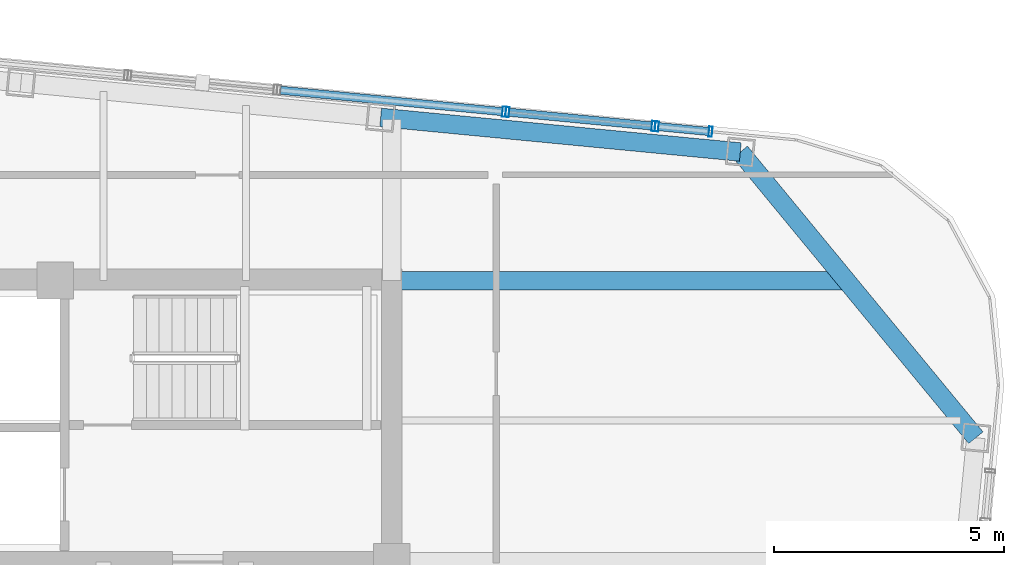
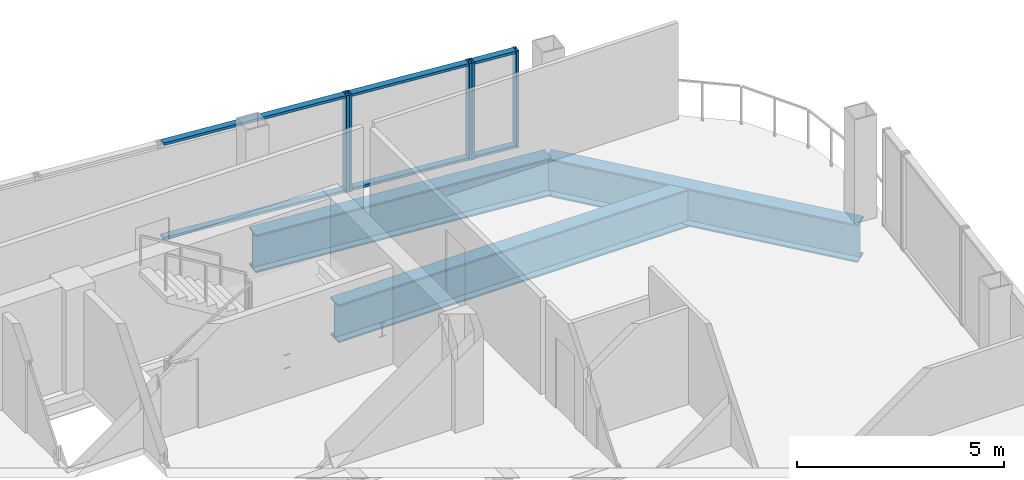
# One storey, part 15 of 22: 11 members, 3 beams, 3 elements without a shape of their own.
"""IFC4 building model written with IfcOpenShell, lengths in metres."""

from ifc_helpers import new_model, si_unit, direction, frame, origin, origin_2d, place, context, subcontext, project, spatial, hollow_rectangle, i_section, extrude, material, layer, layer_set, material_profile, profile_set, type_object, element, aggregate, save


model = new_model("IFC4")

# Units and contexts
model_context = context("Model", 3, precision=1e-05, world=origin(), true_north=direction((0.0, 1.0)))
body_context = subcontext(model_context, "Body", "Model", "MODEL_VIEW")
ifc_project = project(units=[si_unit("LENGTHUNIT", "METRE"), si_unit("AREAUNIT", "SQUARE_METRE"), si_unit("VOLUMEUNIT", "CUBIC_METRE"), si_unit("PLANEANGLEUNIT", "RADIAN"), si_unit("MASSUNIT", "GRAM", prefix="KILO")], contexts=[model_context])

# Site, building, storey
site_placement = place(None, origin())
site = spatial("IfcSite", under=ifc_project, at=site_placement, CompositionType="ELEMENT")
building_placement = place(site_placement, origin())
building = spatial("IfcBuilding", under=site, at=building_placement, Name="Qhalaya Broadcast Tower", CompositionType="ELEMENT")
storey_placement = place(building_placement, frame((0.0, 0.0, 245.89990234375)))
storey = spatial("IfcBuildingStorey", under=building, at=storey_placement, Name="L72", CompositionType="ELEMENT", Elevation=245.89990234375)

# Beams
ifc_material_1 = material(Name="Structural Steel ASTM A992 Grade 50", Category="steel")
ifc_material_profile_1 = material_profile(ifc_material_1, i_section(OverallWidth=0.404052734375, OverallDepth=1.117919921875, WebThickness=0.026123046875, FlangeThickness=0.044921875, at=origin_2d()), Name="W44X335")
ifc_profile_set_1 = profile_set([ifc_material_profile_1], Name="Structural Steel ASTM A992 Grade 50")
beam_type = type_object("IfcBeamType", Name="Podium Long-Span Primary Girder PG1", PredefinedType="USERDEFINED", material=ifc_profile_set_1)
beam_1_placement = place(storey_placement, frame((22.09033203125, 6.5283203125, -0.7490234375), z_axis=(-0.636070241972, 0.771631160126, 0.0), x_axis=(-0.771631160126, -0.636070241972, 0.0)))
element("IfcBeam", 1, at=beam_1_placement, inside=storey, type_object=beam_type, Name="L72 PG1 L72-SPR-08", ObjectType="GIRDER", PredefinedType="USERDEFINED", context=body_context, shape_type="SweptSolid", body=[
    extrude(i_section(OverallWidth=0.404052734375, OverallDepth=1.117919921875, WebThickness=0.026123046875, FlangeThickness=0.044921875, at=origin_2d()), origin(), (0.0, 0.0, 1.0), 8.06103515625),
])
beam_2_placement = place(storey_placement, frame((16.962890625, 12.74853515625, -0.7490234375), z_axis=(-0.995397023367, 0.095837184179, 0.0), x_axis=(-0.095837184179, -0.995397023367, 0.0)))
element("IfcBeam", 2, at=beam_2_placement, inside=storey, type_object=beam_type, Name="L72 PG1 L72-SPR-09", ObjectType="GIRDER", PredefinedType="USERDEFINED", context=body_context, shape_type="SweptSolid", body=[
    extrude(i_section(OverallWidth=0.404052734375, OverallDepth=1.117919921875, WebThickness=0.026123046875, FlangeThickness=0.044921875, at=origin_2d()), origin(), (0.0, 0.0, 1.0), 7.866455078125),
])
beam_3_placement = place(storey_placement, frame((9.375, 9.949951171875, -0.7490234375), z_axis=(1.0, 0.0, 0.0), x_axis=(0.0, 1.0, 0.0)))
element("IfcBeam", 3, at=beam_3_placement, inside=storey, type_object=beam_type, Name="L72 PG1 L72-PGYE4-1", ObjectType="GIRDER", PredefinedType="USERDEFINED", context=body_context, shape_type="SweptSolid", body=[
    extrude(i_section(OverallWidth=0.404052734375, OverallDepth=1.117919921875, WebThickness=0.026123046875, FlangeThickness=0.044921875, at=origin_2d()), origin(), (0.0, 0.0, 1.0), 9.868896484375),
])

# Curtain wall, members
ifc_material_2 = material(Name="Fired Architectural Terracotta", Category="masonry")
ifc_layer_1 = layer(ifc_material_2, 0.219970703125, Name="Fired Architectural Terracotta")
ifc_layer_set_1 = layer_set([ifc_layer_1], Name="Fired Architectural Terracotta")
curtain_wall_type_1 = type_object("IfcCurtainWallType", Name="Block-Cap Unitised Terracotta Spandrel Wall CW-07", PredefinedType="NOTDEFINED", material=ifc_layer_set_1)
curtain_wall_1_placement = place(storey_placement, origin())
curtain_wall_1 = element("IfcCurtainWall", 4, at=curtain_wall_1_placement, inside=storey, type_object=curtain_wall_type_1, Name="L72 Unitised Curtain Wall L72-CW-N1", PredefinedType="NOTDEFINED")
ifc_material_3 = material(Name="Anodised Aluminium 6063-T6", Category="aluminium")
ifc_material_profile_2 = material_profile(ifc_material_3, hollow_rectangle(XDim=0.074951171875, YDim=0.219970703125, WallThickness=0.00390625, at=origin_2d()), Name="ALU-MUL 75x220x4")
ifc_profile_set_2 = profile_set([ifc_material_profile_2], Name="Anodised Aluminium 6063-T6")
member_type_1 = type_object("IfcMemberType", Name="Unitised Curtain-Wall Mullion M01", PredefinedType="MULLION", material=ifc_profile_set_2)
member_1_placement = place(storey_placement, frame((16.315185546875, 13.192626953125, 0.0), z_axis=(0.0, 0.0, 1.0), x_axis=(-0.995396414656, 0.095843506251, 0.0)))
member_1 = element("IfcMember", 5, at=member_1_placement, type_object=member_type_1, Name="CW-07 mullion 1", PredefinedType="MULLION", context=body_context, shape_type="SweptSolid", body=[
    extrude(hollow_rectangle(XDim=0.074951171875, YDim=0.219970703125, WallThickness=0.00390625, at=origin_2d()), origin(), (0.0, 0.0, 1.0), 2.860107421875),
])
member_2_placement = place(storey_placement, frame((15.1455078125, 13.30517578125, 0.0), z_axis=(0.0, 0.0, 1.0), x_axis=(-0.995396414656, 0.095843506251, 0.0)))
member_2 = element("IfcMember", 6, at=member_2_placement, type_object=member_type_1, Name="CW-07 mullion 2", PredefinedType="MULLION", context=body_context, shape_type="SweptSolid", body=[
    extrude(hollow_rectangle(XDim=0.074951171875, YDim=0.219970703125, WallThickness=0.00390625, at=origin_2d()), origin(), (0.0, 0.0, 1.0), 2.860107421875),
])

ifc_material_4 = material(Name="Solar-Control Low-E Triple Glazing", Category="glass")
ifc_layer_2 = layer(ifc_material_4, 0.219970703125, Name="Solar-Control Low-E Triple Glazing")
ifc_layer_set_2 = layer_set([ifc_layer_2], Name="Solar-Control Low-E Triple Glazing")
curtain_wall_type_2 = type_object("IfcCurtainWallType", Name="High-Altitude Upper-Shaft Triple Low-E Curtain Wall CW-04", PredefinedType="NOTDEFINED", material=ifc_layer_set_2)
curtain_wall_2_placement = place(storey_placement, origin())
curtain_wall_2 = element("IfcCurtainWall", 7, at=curtain_wall_2_placement, inside=storey, type_object=curtain_wall_type_2, Name="L72 Unitised Curtain Wall L72-CW-N2", PredefinedType="NOTDEFINED")
member_3_placement = place(storey_placement, frame((15.07080078125, 13.3125, 0.0), z_axis=(0.0, 0.0, 1.0), x_axis=(-0.99539724102, 0.095834923543, 0.0)))
member_3 = element("IfcMember", 8, at=member_3_placement, type_object=member_type_1, Name="CW-04 mullion 1", PredefinedType="MULLION", context=body_context, shape_type="SweptSolid", body=[
    extrude(hollow_rectangle(XDim=0.074951171875, YDim=0.219970703125, WallThickness=0.00390625, at=origin_2d()), origin(), (0.0, 0.0, 1.0), 2.860107421875),
])
member_4_placement = place(storey_placement, frame((11.89453125, 13.6181640625, 0.0), z_axis=(0.0, 0.0, 1.0), x_axis=(-0.99539724102, 0.095834923543, 0.0)))
member_4 = element("IfcMember", 9, at=member_4_placement, type_object=member_type_1, Name="CW-04 mullion 2", PredefinedType="MULLION", context=body_context, shape_type="SweptSolid", body=[
    extrude(hollow_rectangle(XDim=0.074951171875, YDim=0.219970703125, WallThickness=0.00390625, at=origin_2d()), origin(), (0.0, 0.0, 1.0), 2.860107421875),
])

# Curtain wall, member
curtain_wall_3_placement = place(storey_placement, origin())
curtain_wall_3 = element("IfcCurtainWall", 10, at=curtain_wall_3_placement, inside=storey, type_object=curtain_wall_type_1, Name="L72 Unitised Curtain Wall L72-CW-N3", PredefinedType="NOTDEFINED")
member_5_placement = place(storey_placement, frame((11.81982421875, 13.62548828125, 0.0), z_axis=(0.0, 0.0, 1.0), x_axis=(-0.995394803391, 0.095860238798, 0.0)))
member_5 = element("IfcMember", 11, at=member_5_placement, type_object=member_type_1, Name="CW-07 mullion 1", PredefinedType="MULLION", context=body_context, shape_type="SweptSolid", body=[
    extrude(hollow_rectangle(XDim=0.074951171875, YDim=0.219970703125, WallThickness=0.00390625, at=origin_2d()), origin(), (0.0, 0.0, 1.0), 2.860107421875),
])

# Member
ifc_material_profile_3 = material_profile(ifc_material_3, hollow_rectangle(XDim=0.074951171875, YDim=0.179931640625, WallThickness=0.00390625, at=origin_2d()), Name="ALU-TRN 75x180x4")
ifc_profile_set_3 = profile_set([ifc_material_profile_3], Name="Anodised Aluminium 6063-T6")
member_type_2 = type_object("IfcMemberType", Name="Unitised Curtain-Wall Transom T01", PredefinedType="USERDEFINED", material=ifc_profile_set_3)
member_6_placement = place(storey_placement, frame((16.27783203125, 13.1962890625, 0.03759765625), z_axis=(-0.995414313875, 0.095657429048, 0.0), x_axis=(0.0, 0.0, 1.0)))
member_6 = element("IfcMember", 12, at=member_6_placement, type_object=member_type_2, Name="CW-07 transom 1.1", ObjectType="TRANSOM", PredefinedType="USERDEFINED", context=body_context, shape_type="SweptSolid", body=[
    extrude(hollow_rectangle(XDim=0.074951171875, YDim=0.179931640625, WallThickness=0.00390625, at=origin_2d()), origin(), (0.0, 0.0, 1.0), 1.10009765625),
])

member_7_placement = place(storey_placement, frame((16.27783203125, 13.1962890625, 2.822509765625), z_axis=(-0.995414313875, 0.095657429048, 0.0), x_axis=(0.0, 0.0, 1.0)))
member_7 = element("IfcMember", 13, at=member_7_placement, type_object=member_type_2, Name="CW-07 transom 1.2", ObjectType="TRANSOM", PredefinedType="USERDEFINED", context=body_context, shape_type="SweptSolid", body=[
    extrude(hollow_rectangle(XDim=0.074951171875, YDim=0.179931640625, WallThickness=0.00390625, at=origin_2d()), origin(), (0.0, 0.0, 1.0), 1.10009765625),
])

aggregate(curtain_wall_1, [member_1, member_2, member_6, member_7])

member_8_placement = place(storey_placement, frame((15.033447265625, 13.31591796875, 0.03759765625), z_axis=(-0.995398112341, 0.095825873063, 0.0), x_axis=(0.0, 0.0, 1.0)))
member_8 = element("IfcMember", 14, at=member_8_placement, type_object=member_type_2, Name="CW-04 transom 1.1", ObjectType="TRANSOM", PredefinedType="USERDEFINED", context=body_context, shape_type="SweptSolid", body=[
    extrude(hollow_rectangle(XDim=0.074951171875, YDim=0.179931640625, WallThickness=0.00390625, at=origin_2d()), origin(), (0.0, 0.0, 1.0), 3.115966796875),
])

member_9_placement = place(storey_placement, frame((15.033447265625, 13.31591796875, 2.822509765625), z_axis=(-0.995398112341, 0.095825873063, 0.0), x_axis=(0.0, 0.0, 1.0)))
member_9 = element("IfcMember", 15, at=member_9_placement, type_object=member_type_2, Name="CW-04 transom 1.2", ObjectType="TRANSOM", PredefinedType="USERDEFINED", context=body_context, shape_type="SweptSolid", body=[
    extrude(hollow_rectangle(XDim=0.074951171875, YDim=0.179931640625, WallThickness=0.00390625, at=origin_2d()), origin(), (0.0, 0.0, 1.0), 3.115966796875),
])

aggregate(curtain_wall_2, [member_3, member_4, member_8, member_9])

member_10_placement = place(storey_placement, frame((11.782470703125, 13.62890625, 0.03759765625), z_axis=(-0.995393340021, 0.095875432943, 0.0), x_axis=(0.0, 0.0, 1.0)))
member_10 = element("IfcMember", 16, at=member_10_placement, type_object=member_type_2, Name="CW-07 transom 1.1", ObjectType="TRANSOM", PredefinedType="USERDEFINED", context=body_context, shape_type="SweptSolid", body=[
    extrude(hollow_rectangle(XDim=0.074951171875, YDim=0.179931640625, WallThickness=0.00390625, at=origin_2d()), origin(), (0.0, 0.0, 1.0), 4.85107421875),
])

member_11_placement = place(storey_placement, frame((11.782470703125, 13.62890625, 2.822509765625), z_axis=(-0.995393340021, 0.095875432943, 0.0), x_axis=(0.0, 0.0, 1.0)))
member_11 = element("IfcMember", 17, at=member_11_placement, type_object=member_type_2, Name="CW-07 transom 1.2", ObjectType="TRANSOM", PredefinedType="USERDEFINED", context=body_context, shape_type="SweptSolid", body=[
    extrude(hollow_rectangle(XDim=0.074951171875, YDim=0.179931640625, WallThickness=0.00390625, at=origin_2d()), origin(), (0.0, 0.0, 1.0), 4.85107421875),
])

aggregate(curtain_wall_3, [member_5, member_10, member_11])

save(model, "model.ifc")
